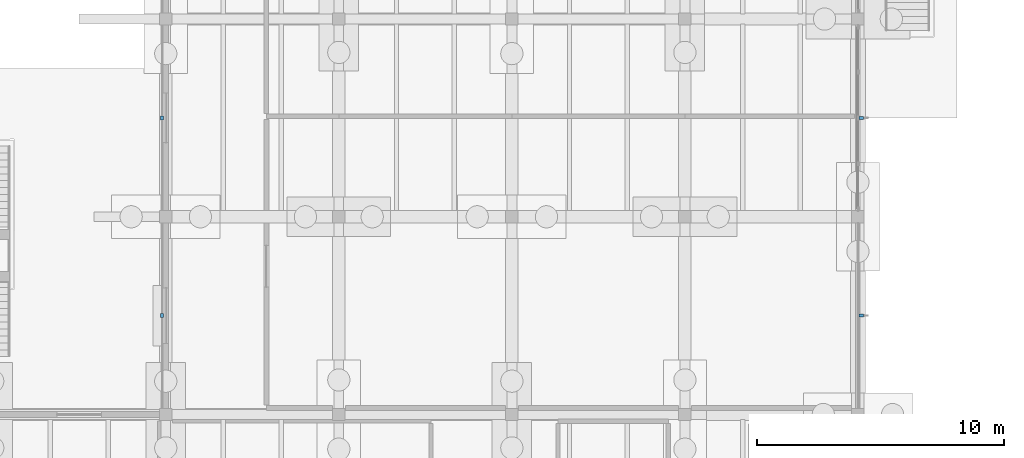
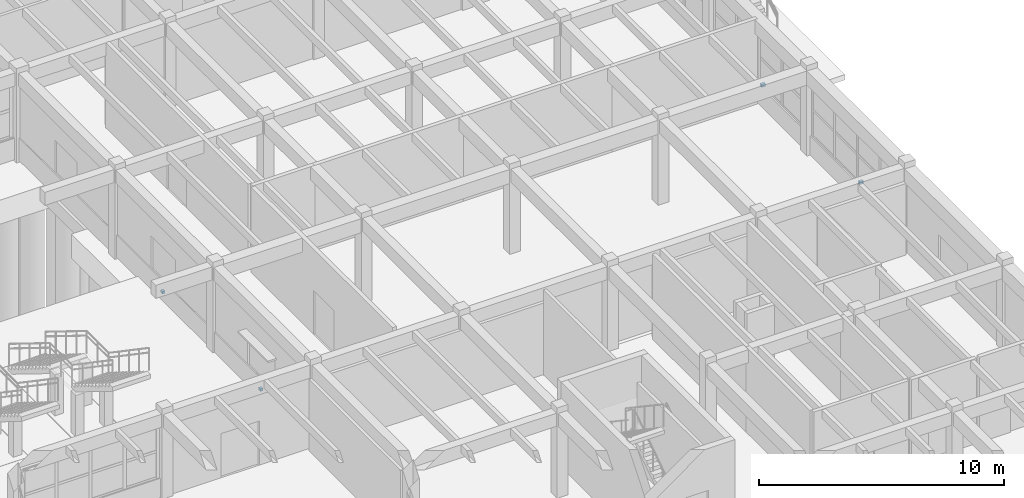
# One storey, part 83 of 99: 4 discrete accessories.
"""IFC4 building model written with IfcOpenShell, lengths in metres."""

from ifc_helpers import new_model, si_unit, direction, frame, origin, origin_2d, place, context, subcontext, project, spatial, rectangle, extrude, material, type_object, element, save


model = new_model("IFC4")

# Units and contexts
model_context = context("Model", 3, precision=1e-05, world=origin(), true_north=direction((0.0, 1.0)))
body_context = subcontext(model_context, "Body", "Model", "MODEL_VIEW")
ifc_project = project(units=[si_unit("LENGTHUNIT", "METRE"), si_unit("AREAUNIT", "SQUARE_METRE"), si_unit("VOLUMEUNIT", "CUBIC_METRE"), si_unit("PLANEANGLEUNIT", "RADIAN"), si_unit("MASSUNIT", "GRAM", prefix="KILO")], contexts=[model_context])

# Site, building, storey
site_placement = place(None, origin())
site = spatial("IfcSite", under=ifc_project, at=site_placement, CompositionType="ELEMENT")
building_placement = place(site_placement, origin())
building = spatial("IfcBuilding", under=site, at=building_placement, Name="Tonlespit Floodbar School", CompositionType="ELEMENT")
storey_placement = place(building_placement, origin())
storey = spatial("IfcBuildingStorey", under=building, at=storey_placement, Name="L00", CompositionType="ELEMENT", Elevation=0.0)

# Discrete accessories
ifc_material = material(Name="Galvanised Steel", Category="steel")
discrete_accessory_type = type_object("IfcDiscreteAccessoryType", Name="Bracket_Facade_S355", PredefinedType="BRACKET", material=ifc_material)
discrete_accessory_1_placement = place(storey_placement, frame((176.132568359375, 92.0, 0.7802734375), z_axis=(0.0, 0.0, 1.0), x_axis=(0.0, -1.0, 0.0)))
element("IfcDiscreteAccessory", 1, at=discrete_accessory_1_placement, inside=storey, type_object=discrete_accessory_type, Name="Solar fin support bracket 227", PredefinedType="BRACKET", context=body_context, shape_type="SweptSolid", body=[
    extrude(rectangle(XDim=0.1201171875, YDim=0.179931640625, at=origin_2d()), origin(), (0.0, 0.0, 1.0), 0.139892578125),
])
discrete_accessory_2_placement = place(storey_placement, frame((147.85009765625, 92.0, 0.3798828125), z_axis=(0.0, 0.0, 1.0), x_axis=(0.0, 1.0, 0.0)))
element("IfcDiscreteAccessory", 2, at=discrete_accessory_2_placement, inside=storey, type_object=discrete_accessory_type, Name="L00 white band support bracket 0625", PredefinedType="BRACKET", context=body_context, shape_type="SweptSolid", body=[
    extrude(rectangle(XDim=0.159912109375, YDim=0.1201171875, at=origin_2d()), origin(), (0.0, 0.0, 1.0), 0.1201171875),
])
discrete_accessory_3_placement = place(storey_placement, frame((176.132568359375, 84.0, 0.7802734375), z_axis=(0.0, 0.0, 1.0), x_axis=(0.0, -1.0, 0.0)))
element("IfcDiscreteAccessory", 3, at=discrete_accessory_3_placement, inside=storey, type_object=discrete_accessory_type, Name="Solar fin support bracket 228", PredefinedType="BRACKET", context=body_context, shape_type="SweptSolid", body=[
    extrude(rectangle(XDim=0.1201171875, YDim=0.179931640625, at=origin_2d()), origin(), (0.0, 0.0, 1.0), 0.139892578125),
])
discrete_accessory_4_placement = place(storey_placement, frame((147.85009765625, 84.0, 0.3798828125), z_axis=(0.0, 0.0, 1.0), x_axis=(0.0, 1.0, 0.0)))
element("IfcDiscreteAccessory", 4, at=discrete_accessory_4_placement, inside=storey, type_object=discrete_accessory_type, Name="L00 white band support bracket 0626", PredefinedType="BRACKET", context=body_context, shape_type="SweptSolid", body=[
    extrude(rectangle(XDim=0.159912109375, YDim=0.1201171875, at=origin_2d()), origin(), (0.0, 0.0, 1.0), 0.1201171875),
])

save(model, "model.ifc")
